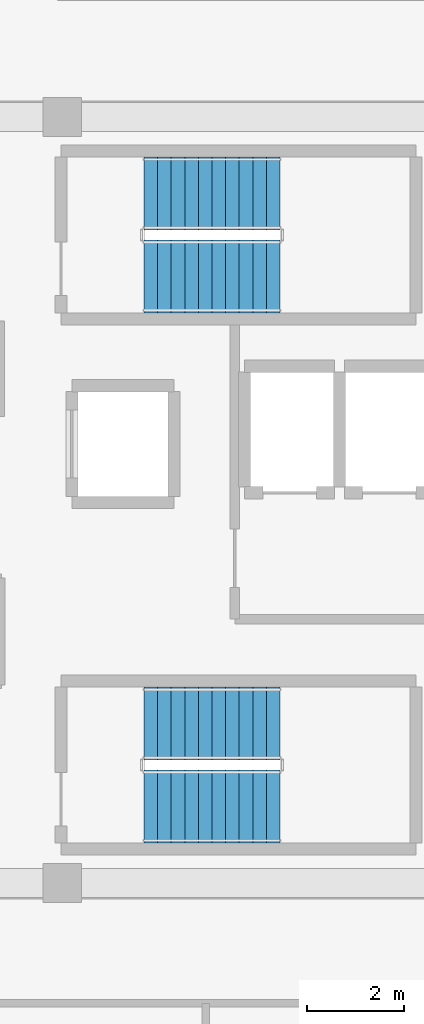
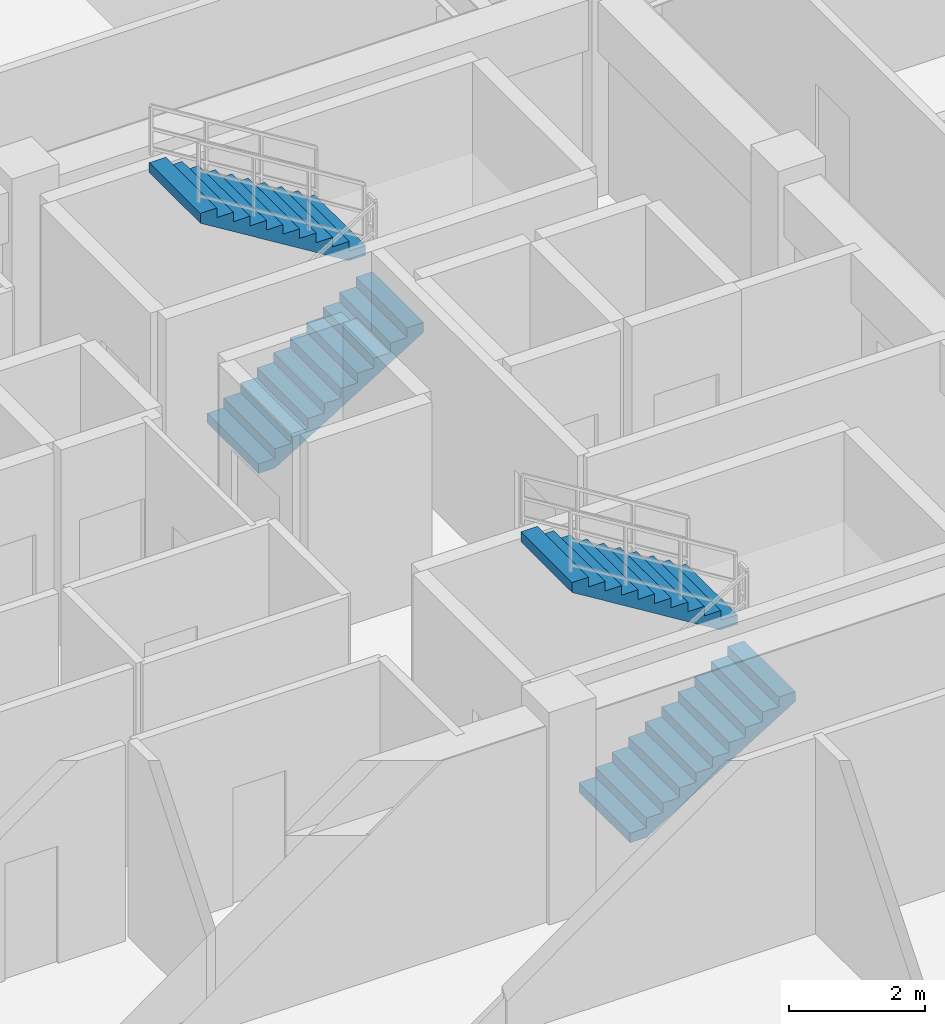
# One storey, part 9 of 12: 4 stair flights, 2 elements without a shape of their own.
"""IFC4 building model written with IfcOpenShell, lengths in metres."""

from ifc_helpers import new_model, si_unit, direction, frame, origin, place, context, subcontext, project, spatial, polyline, outline, extrude, material, type_object, element, aggregate, save


model = new_model("IFC4")

# Units and contexts
model_context = context("Model", 3, precision=1e-05, world=origin(), true_north=direction((0.0, 1.0)))
body_context = subcontext(model_context, "Body", "Model", "MODEL_VIEW")
ifc_project = project(units=[si_unit("LENGTHUNIT", "METRE"), si_unit("AREAUNIT", "SQUARE_METRE"), si_unit("VOLUMEUNIT", "CUBIC_METRE"), si_unit("PLANEANGLEUNIT", "RADIAN"), si_unit("MASSUNIT", "GRAM", prefix="KILO")], contexts=[model_context])

# Site, building, storey
site_placement = place(None, origin())
site = spatial("IfcSite", under=ifc_project, at=site_placement, CompositionType="ELEMENT")
building_placement = place(site_placement, origin())
building = spatial("IfcBuilding", under=site, at=building_placement, Name="Zulverin Broadcast Headquarters", CompositionType="ELEMENT")
storey_placement = place(building_placement, frame((0.0, 0.0, 240.199951171875)))
storey = spatial("IfcBuildingStorey", under=building, at=storey_placement, Name="L61", CompositionType="ELEMENT", Elevation=240.199951171875)

# Stair, stair flights
ifc_material = material(Name="Concrete C40/50", Category="concrete")
stair_type = type_object("IfcStairType", Name="ST-CORE-1500", PredefinedType="HALF_TURN_STAIR", material=ifc_material)
stair_1_placement = place(storey_placement, origin())
stair_1 = element("IfcStair", 1, at=stair_1_placement, inside=storey, type_object=stair_type, Name="L61 Core Exit Stair ST-1", PredefinedType="HALF_TURN_STAIR")
stair_flight_type = type_object("IfcStairFlightType", Name="SF-CORE-1500", PredefinedType="STRAIGHT", material=ifc_material)
stair_flight_1_placement = place(storey_placement, frame((40.1298828125, 29.800048828125, 0.0), z_axis=(0.0, 0.0, 1.0), x_axis=(1.0, 0.0, 0.0)))
stair_flight_1 = element("IfcStairFlight", 2, at=stair_flight_1_placement, type_object=stair_flight_type, Name="ST-1 flight 1", NumberOfRisers=11, NumberOfTreads=10, PredefinedType="STRAIGHT", RiserHeight=0.172727273, TreadLength=0.28, context=body_context, shape_type="SweptSolid", body=[
    extrude(outline(polyline([(0.0, 0.0), (0.0, 0.172607421875), (0.280029296875, 0.172607421875), (0.280029296875, 0.345458984375), (0.56005859375, 0.345458984375), (0.56005859375, 0.51806640625), (0.840087890625, 0.51806640625), (0.840087890625, 0.69091796875), (1.1201171875, 0.69091796875), (1.1201171875, 0.863525390625), (1.39990234375, 0.863525390625), (1.39990234375, 1.036376953125), (1.679931640625, 1.036376953125), (1.679931640625, 1.208984375), (1.9599609375, 1.208984375), (1.9599609375, 1.3818359375), (2.239990234375, 1.3818359375), (2.239990234375, 1.554443359375), (2.52001953125, 1.554443359375), (2.52001953125, 1.727294921875), (2.800048828125, 1.727294921875), (2.800048828125, 1.89990234375), (2.800048828125, 1.551025390625), (0.285400390625, 0.0), (0.0, 0.0)])), frame((0.0, 0.75, 0.0), z_axis=(0.0, -1.0, 0.0), x_axis=(1.0, 0.0, 0.0)), (0.0, 0.0, 1.0), 1.5),
])
stair_flight_2_placement = place(storey_placement, frame((42.929931640625, 31.5, 1.900146484375), z_axis=(0.0, 0.0, 1.0), x_axis=(-1.0, 0.0, 0.0)))
stair_flight_2 = element("IfcStairFlight", 3, at=stair_flight_2_placement, type_object=stair_flight_type, Name="ST-1 flight 2", NumberOfRisers=11, NumberOfTreads=10, PredefinedType="STRAIGHT", RiserHeight=0.172727273, TreadLength=0.28, context=body_context, shape_type="SweptSolid", body=[
    extrude(outline(polyline([(0.0, 0.0), (0.0, 0.172607421875), (0.280029296875, 0.172607421875), (0.280029296875, 0.345458984375), (0.56005859375, 0.345458984375), (0.56005859375, 0.51806640625), (0.840087890625, 0.51806640625), (0.840087890625, 0.69091796875), (1.1201171875, 0.69091796875), (1.1201171875, 0.863525390625), (1.39990234375, 0.863525390625), (1.39990234375, 1.036376953125), (1.679931640625, 1.036376953125), (1.679931640625, 1.208984375), (1.9599609375, 1.208984375), (1.9599609375, 1.3818359375), (2.239990234375, 1.3818359375), (2.239990234375, 1.554443359375), (2.52001953125, 1.554443359375), (2.52001953125, 1.727294921875), (2.800048828125, 1.727294921875), (2.800048828125, 1.89990234375), (2.800048828125, 1.551025390625), (0.285400390625, 0.0), (0.0, 0.0)])), frame((0.0, 0.75, 0.0), z_axis=(0.0, -1.0, 0.0), x_axis=(1.0, 0.0, 0.0)), (0.0, 0.0, 1.0), 1.5),
])
aggregate(stair_1, [stair_flight_1, stair_flight_2])

stair_2_placement = place(storey_placement, origin())
stair_2 = element("IfcStair", 4, at=stair_2_placement, inside=storey, type_object=stair_type, Name="L61 Core Exit Stair ST-2", PredefinedType="HALF_TURN_STAIR")
stair_flight_3_placement = place(storey_placement, frame((40.1298828125, 18.89990234375, 0.0), z_axis=(0.0, 0.0, 1.0), x_axis=(1.0, 0.0, 0.0)))
stair_flight_3 = element("IfcStairFlight", 5, at=stair_flight_3_placement, type_object=stair_flight_type, Name="ST-2 flight 1", NumberOfRisers=11, NumberOfTreads=10, PredefinedType="STRAIGHT", RiserHeight=0.172727273, TreadLength=0.28, context=body_context, shape_type="SweptSolid", body=[
    extrude(outline(polyline([(0.0, 0.0), (0.0, 0.172607421875), (0.280029296875, 0.172607421875), (0.280029296875, 0.345458984375), (0.56005859375, 0.345458984375), (0.56005859375, 0.51806640625), (0.840087890625, 0.51806640625), (0.840087890625, 0.69091796875), (1.1201171875, 0.69091796875), (1.1201171875, 0.863525390625), (1.39990234375, 0.863525390625), (1.39990234375, 1.036376953125), (1.679931640625, 1.036376953125), (1.679931640625, 1.208984375), (1.9599609375, 1.208984375), (1.9599609375, 1.3818359375), (2.239990234375, 1.3818359375), (2.239990234375, 1.554443359375), (2.52001953125, 1.554443359375), (2.52001953125, 1.727294921875), (2.800048828125, 1.727294921875), (2.800048828125, 1.89990234375), (2.800048828125, 1.551025390625), (0.285400390625, 0.0), (0.0, 0.0)])), frame((0.0, 0.75, 0.0), z_axis=(0.0, -1.0, 0.0), x_axis=(1.0, 0.0, 0.0)), (0.0, 0.0, 1.0), 1.5),
])
stair_flight_4_placement = place(storey_placement, frame((42.929931640625, 20.60009765625, 1.900146484375), z_axis=(0.0, 0.0, 1.0), x_axis=(-1.0, 0.0, 0.0)))
stair_flight_4 = element("IfcStairFlight", 6, at=stair_flight_4_placement, type_object=stair_flight_type, Name="ST-2 flight 2", NumberOfRisers=11, NumberOfTreads=10, PredefinedType="STRAIGHT", RiserHeight=0.172727273, TreadLength=0.28, context=body_context, shape_type="SweptSolid", body=[
    extrude(outline(polyline([(0.0, 0.0), (0.0, 0.172607421875), (0.280029296875, 0.172607421875), (0.280029296875, 0.345458984375), (0.56005859375, 0.345458984375), (0.56005859375, 0.51806640625), (0.840087890625, 0.51806640625), (0.840087890625, 0.69091796875), (1.1201171875, 0.69091796875), (1.1201171875, 0.863525390625), (1.39990234375, 0.863525390625), (1.39990234375, 1.036376953125), (1.679931640625, 1.036376953125), (1.679931640625, 1.208984375), (1.9599609375, 1.208984375), (1.9599609375, 1.3818359375), (2.239990234375, 1.3818359375), (2.239990234375, 1.554443359375), (2.52001953125, 1.554443359375), (2.52001953125, 1.727294921875), (2.800048828125, 1.727294921875), (2.800048828125, 1.89990234375), (2.800048828125, 1.551025390625), (0.285400390625, 0.0), (0.0, 0.0)])), frame((0.0, 0.75, 0.0), z_axis=(0.0, -1.0, 0.0), x_axis=(1.0, 0.0, 0.0)), (0.0, 0.0, 1.0), 1.5),
])
aggregate(stair_2, [stair_flight_3, stair_flight_4])

save(model, "model.ifc")
